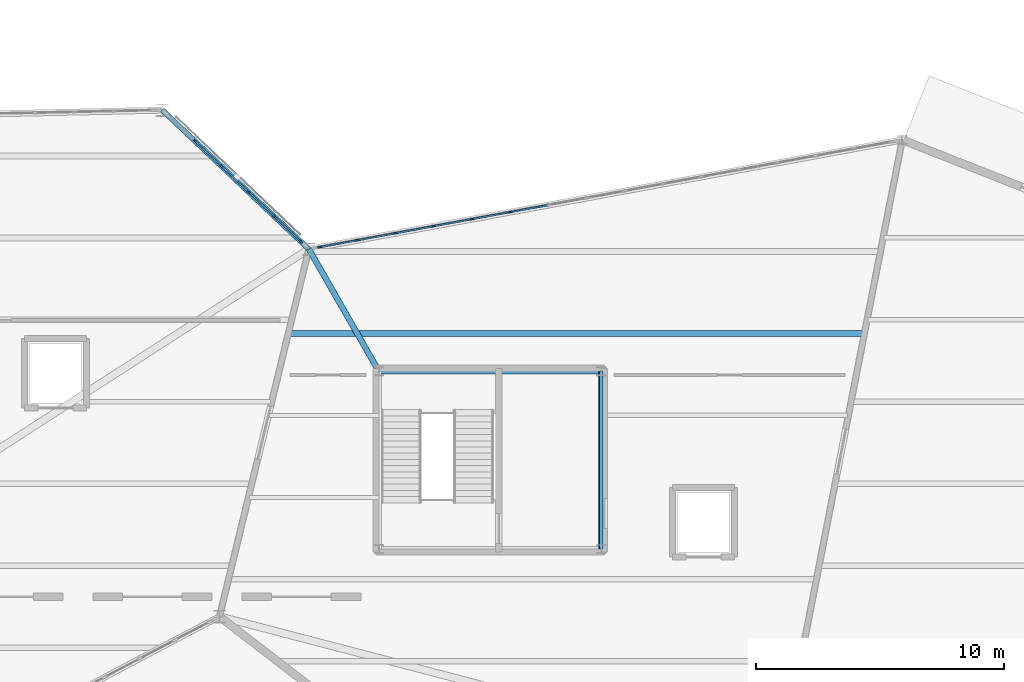
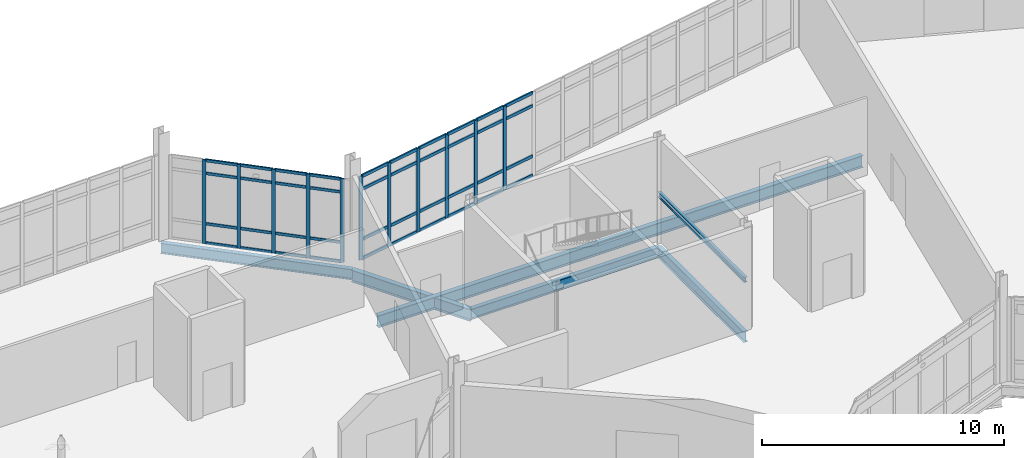
# One storey, part 40 of 113: 51 members, 6 beams, 2 elements without a shape of their own.
"""IFC4 building model written with IfcOpenShell, lengths in metres."""

from ifc_helpers import new_model, si_unit, direction, frame, origin, origin_2d, place, context, subcontext, project, spatial, rectangle, i_section, extrude, material, material_profile, profile_set, type_object, element, aggregate, save


model = new_model("IFC4")

# Units and contexts
model_context = context("Model", 3, precision=1e-05, world=origin(), true_north=direction((0.0, 1.0)))
body_context = subcontext(model_context, "Body", "Model", "MODEL_VIEW")
ifc_project = project(units=[si_unit("LENGTHUNIT", "METRE"), si_unit("AREAUNIT", "SQUARE_METRE"), si_unit("VOLUMEUNIT", "CUBIC_METRE"), si_unit("PLANEANGLEUNIT", "RADIAN"), si_unit("MASSUNIT", "GRAM", prefix="KILO")], contexts=[model_context])

# Site, building, storey
site_placement = place(None, origin())
site = spatial("IfcSite", under=ifc_project, at=site_placement, CompositionType="ELEMENT")
building_placement = place(site_placement, origin())
building = spatial("IfcBuilding", under=site, at=building_placement, Name="Tameran Prism Museum", CompositionType="ELEMENT")
storey_placement = place(building_placement, origin())
storey = spatial("IfcBuildingStorey", under=building, at=storey_placement, Name="L00", CompositionType="ELEMENT", Elevation=0.0)

# Beams
ifc_material_1 = material(Name="Steel Grade 300PLUS (300 MPa)", Category="steel")
ifc_material_profile_1 = material_profile(ifc_material_1, i_section(OverallWidth=0.14599609375, OverallDepth=0.256103515625, WebThickness=0.00634765625, FlangeThickness=0.010986328125, FilletRadius=0.0087890625, at=origin_2d()))
ifc_profile_set_1 = profile_set([ifc_material_profile_1])
beam_type_1 = type_object("IfcBeamType", Name="BM-L250", PredefinedType="LINTEL", material=ifc_profile_set_1)
beam_1_placement = place(storey_placement, frame((113.47998046875, 30.919921875, 2.3798828125), z_axis=(0.0, 1.0, 0.0), x_axis=(-1.0, 0.0, 0.0)))
element("IfcBeam", 1, at=beam_1_placement, inside=storey, type_object=beam_type_1, Name="Core Door Lintel LN-06", PredefinedType="LINTEL", context=body_context, shape_type="SweptSolid", body=[
    extrude(i_section(OverallWidth=0.14599609375, OverallDepth=0.256103515625, WebThickness=0.00634765625, FlangeThickness=0.010986328125, FilletRadius=0.0087890625, at=origin_2d()), origin(), (0.0, 0.0, 1.0), 7.16015625),
])
ifc_material_2 = material(Name="Steel Grade 300PLUS (300 MPa)", Category="steel")
ifc_material_profile_2 = material_profile(ifc_material_2, i_section(OverallWidth=0.208984375, OverallDepth=0.528076171875, WebThickness=0.009521484375, FlangeThickness=0.01318359375, FilletRadius=0.013916015625, at=origin_2d()))
ifc_profile_set_2 = profile_set([ifc_material_profile_2])
beam_type_2 = type_object("IfcBeamType", Name="BM-SP530B", PredefinedType="SPANDREL", material=ifc_profile_set_2)
beam_2_placement = place(storey_placement, frame((101.699951171875, 43.0, -0.50390625), z_axis=(-0.725294606745, 0.688438619942, 0.0), x_axis=(-0.688438619942, -0.725294606745, 0.0)))
element("IfcBeam", 2, at=beam_2_placement, inside=storey, type_object=beam_type_2, Name="Perimeter Spandrel SP-0030", PredefinedType="SPANDREL", context=body_context, shape_type="SweptSolid", body=[
    extrude(i_section(OverallWidth=0.208984375, OverallDepth=0.528076171875, WebThickness=0.009521484375, FlangeThickness=0.01318359375, FilletRadius=0.013916015625, at=origin_2d()), origin(), (0.0, 0.0, 1.0), 8.134521484375),
])
beam_3_placement = place(storey_placement, frame((113.47998046875, 30.919921875, -0.50390625), z_axis=(0.0, 1.0, 0.0), x_axis=(-1.0, 0.0, 0.0)))
element("IfcBeam", 3, at=beam_3_placement, inside=storey, type_object=beam_type_2, Name="Core Ring Beam CTB-0123", PredefinedType="SPANDREL", context=body_context, shape_type="SweptSolid", body=[
    extrude(i_section(OverallWidth=0.208984375, OverallDepth=0.528076171875, WebThickness=0.009521484375, FlangeThickness=0.01318359375, FilletRadius=0.013916015625, at=origin_2d()), origin(), (0.0, 0.0, 1.0), 7.16015625),
])
beam_4_placement = place(storey_placement, frame((113.47998046875, 38.080078125, -0.50390625), z_axis=(-1.0, 0.0, 0.0), x_axis=(0.0, -1.0, 0.0)))
element("IfcBeam", 4, at=beam_4_placement, inside=storey, type_object=beam_type_2, Name="Core Ring Beam CTB-0124", PredefinedType="SPANDREL", context=body_context, shape_type="SweptSolid", body=[
    extrude(i_section(OverallWidth=0.208984375, OverallDepth=0.528076171875, WebThickness=0.009521484375, FlangeThickness=0.01318359375, FilletRadius=0.013916015625, at=origin_2d()), origin(), (0.0, 0.0, 1.0), 8.9599609375),
])
ifc_material_3 = material(Name="Steel Grade 300PLUS (300 MPa)", Category="steel")
ifc_material_profile_3 = material_profile(ifc_material_3, i_section(OverallWidth=0.22900390625, OverallDepth=0.612060546875, WebThickness=0.011962890625, FlangeThickness=0.01953125, FilletRadius=0.013916015625, at=origin_2d()))
ifc_profile_set_3 = profile_set([ifc_material_profile_3])
beam_type_3 = type_object("IfcBeamType", Name="BM-UB610A", PredefinedType="BEAM", material=ifc_profile_set_3)
beam_5_placement = place(storey_placement, frame((104.52001953125, 38.080078125, -0.56005859375), z_axis=(-0.4972929541, 0.867582686436, 0.0), x_axis=(-0.867582686436, -0.4972929541, 0.0)))
element("IfcBeam", 5, at=beam_5_placement, inside=storey, type_object=beam_type_3, Name="Frame Tie Girder FG-1421", PredefinedType="BEAM", context=body_context, shape_type="SweptSolid", body=[
    extrude(i_section(OverallWidth=0.22900390625, OverallDepth=0.612060546875, WebThickness=0.011962890625, FlangeThickness=0.01953125, FilletRadius=0.013916015625, at=origin_2d()), origin(), (0.0, 0.0, 1.0), 5.6708984375),
])
ifc_material_4 = material(Name="Steel Grade 300PLUS (300 MPa)", Category="steel")
ifc_material_profile_4 = material_profile(ifc_material_4, i_section(OverallWidth=0.22802734375, OverallDepth=0.60693359375, WebThickness=0.01123046875, FlangeThickness=0.017333984375, FilletRadius=0.013916015625, at=origin_2d()))
ifc_profile_set_4 = profile_set([ifc_material_profile_4])
beam_type_4 = type_object("IfcBeamType", Name="BM-UB610B", PredefinedType="BEAM", material=ifc_profile_set_4)
beam_6_placement = place(storey_placement, frame((100.9140625, 39.60009765625, -0.54345703125), z_axis=(1.0, 0.0, 0.0), x_axis=(0.0, 1.0, 0.0)))
element("IfcBeam", 6, at=beam_6_placement, inside=storey, type_object=beam_type_4, Name="Floor Beam BM-0237", PredefinedType="BEAM", context=body_context, shape_type="SweptSolid", body=[
    extrude(i_section(OverallWidth=0.22802734375, OverallDepth=0.60693359375, WebThickness=0.01123046875, FlangeThickness=0.017333984375, FilletRadius=0.013916015625, at=origin_2d()), origin(), (0.0, 0.0, 1.0), 23.123046875),
])

# Curtain wall, members
ifc_material_5 = material(Name="Anodised Aluminium 6063-T6 and Cyclone Solar Glass", Category="aluminium")
curtain_wall_type_1 = type_object("IfcCurtainWallType", Name="CW-FAC-738x422", PredefinedType="USERDEFINED", material=ifc_material_5)
curtain_wall_1_placement = place(storey_placement, origin())
curtain_wall_1 = element("IfcCurtainWall", 7, at=curtain_wall_1_placement, inside=storey, type_object=curtain_wall_type_1, Name="Unitised Curtain Wall CW-031", ObjectType="UNITISED CURTAIN WALL", PredefinedType="USERDEFINED")
ifc_material_6 = material(Name="Anodised Aluminium Alloy 6063-T6", Category="aluminium")
ifc_material_profile_5 = material_profile(ifc_material_6, rectangle(XDim=0.06494140625, YDim=0.159912109375, at=origin_2d()))
ifc_profile_set_5 = profile_set([ifc_material_profile_5])
member_type_1 = type_object("IfcMemberType", Name="CW-MUL-A", PredefinedType="MULLION", material=ifc_profile_set_5)
member_1_placement = place(storey_placement, frame((97.123779296875, 47.343505859375, 0.0), z_axis=(0.0, 0.0, 1.0), x_axis=(0.688425100987, 0.725307438491, 0.0)))
member_1 = element("IfcMember", 8, at=member_1_placement, type_object=member_type_1, Name="CW-031 mullion 2", PredefinedType="MULLION", context=body_context, shape_type="SweptSolid", body=[
    extrude(rectangle(XDim=0.06494140625, YDim=0.159912109375, at=origin_2d()), origin(), (0.0, 0.0, 1.0), 4.219970703125),
])
member_2_placement = place(storey_placement, frame((98.193603515625, 46.328125, 0.0), z_axis=(0.0, 0.0, 1.0), x_axis=(0.688425100987, 0.725307438491, 0.0)))
member_2 = element("IfcMember", 9, at=member_2_placement, type_object=member_type_1, Name="CW-031 mullion 3", PredefinedType="MULLION", context=body_context, shape_type="SweptSolid", body=[
    extrude(rectangle(XDim=0.06494140625, YDim=0.159912109375, at=origin_2d()), origin(), (0.0, 0.0, 1.0), 4.219970703125),
])
member_3_placement = place(storey_placement, frame((99.263427734375, 45.312744140625, 0.0), z_axis=(0.0, 0.0, 1.0), x_axis=(0.688425100987, 0.725307438491, 0.0)))
member_3 = element("IfcMember", 10, at=member_3_placement, type_object=member_type_1, Name="CW-031 mullion 4", PredefinedType="MULLION", context=body_context, shape_type="SweptSolid", body=[
    extrude(rectangle(XDim=0.06494140625, YDim=0.159912109375, at=origin_2d()), origin(), (0.0, 0.0, 1.0), 4.219970703125),
])
member_4_placement = place(storey_placement, frame((100.333251953125, 44.29736328125, 0.0), z_axis=(0.0, 0.0, 1.0), x_axis=(0.688425100987, 0.725307438491, 0.0)))
member_4 = element("IfcMember", 11, at=member_4_placement, type_object=member_type_1, Name="CW-031 mullion 5", PredefinedType="MULLION", context=body_context, shape_type="SweptSolid", body=[
    extrude(rectangle(XDim=0.06494140625, YDim=0.159912109375, at=origin_2d()), origin(), (0.0, 0.0, 1.0), 4.219970703125),
])
member_5_placement = place(storey_placement, frame((101.37939453125, 43.304443359375, 0.0), z_axis=(0.0, 0.0, 1.0), x_axis=(0.688425100987, 0.725307438491, 0.0)))
member_5 = element("IfcMember", 12, at=member_5_placement, type_object=member_type_1, Name="CW-031 mullion 6", PredefinedType="MULLION", context=body_context, shape_type="SweptSolid", body=[
    extrude(rectangle(XDim=0.06494140625, YDim=0.159912109375, at=origin_2d()), origin(), (0.0, 0.0, 1.0), 4.219970703125),
])

ifc_material_7 = material(Name="Anodised Aluminium 6063-T6 and Cyclone Solar Glass", Category="aluminium")
curtain_wall_type_2 = type_object("IfcCurtainWallType", Name="CW-FAC-2348x422", PredefinedType="USERDEFINED", material=ifc_material_7)
curtain_wall_2_placement = place(storey_placement, origin())
curtain_wall_2 = element("IfcCurtainWall", 13, at=curtain_wall_2_placement, inside=storey, type_object=curtain_wall_type_2, Name="Unitised Curtain Wall CW-036", ObjectType="UNITISED CURTAIN WALL", PredefinedType="USERDEFINED")
ifc_material_8 = material(Name="Anodised Aluminium Alloy 6063-T6", Category="aluminium")
ifc_material_profile_6 = material_profile(ifc_material_8, rectangle(XDim=0.070068359375, YDim=0.179931640625, at=origin_2d()))
ifc_profile_set_6 = profile_set([ifc_material_profile_6])
member_type_2 = type_object("IfcMemberType", Name="CW-MUL-B", PredefinedType="MULLION", material=ifc_profile_set_6)
member_6_placement = place(storey_placement, frame((102.137451171875, 43.080322265625, 0.0), z_axis=(0.0, 0.0, 1.0), x_axis=(-0.181062693106, 0.98347155585, 0.0)))
member_6 = element("IfcMember", 14, at=member_6_placement, type_object=member_type_2, Name="CW-036 mullion 1", PredefinedType="MULLION", context=body_context, shape_type="SweptSolid", body=[
    extrude(rectangle(XDim=0.070068359375, YDim=0.179931640625, at=origin_2d()), origin(), (0.0, 0.0, 1.0), 4.219970703125),
])
member_7_placement = place(storey_placement, frame((103.642333984375, 43.357421875, 0.0), z_axis=(0.0, 0.0, 1.0), x_axis=(-0.181062693106, 0.98347155585, 0.0)))
member_7 = element("IfcMember", 15, at=member_7_placement, type_object=member_type_2, Name="CW-036 mullion 2", PredefinedType="MULLION", context=body_context, shape_type="SweptSolid", body=[
    extrude(rectangle(XDim=0.070068359375, YDim=0.179931640625, at=origin_2d()), origin(), (0.0, 0.0, 1.0), 4.219970703125),
])
member_8_placement = place(storey_placement, frame((105.181640625, 43.640869140625, 0.0), z_axis=(0.0, 0.0, 1.0), x_axis=(-0.181062693106, 0.98347155585, 0.0)))
member_8 = element("IfcMember", 16, at=member_8_placement, type_object=member_type_2, Name="CW-036 mullion 3", PredefinedType="MULLION", context=body_context, shape_type="SweptSolid", body=[
    extrude(rectangle(XDim=0.070068359375, YDim=0.179931640625, at=origin_2d()), origin(), (0.0, 0.0, 1.0), 4.219970703125),
])
member_9_placement = place(storey_placement, frame((106.720947265625, 43.92431640625, 0.0), z_axis=(0.0, 0.0, 1.0), x_axis=(-0.181062693106, 0.98347155585, 0.0)))
member_9 = element("IfcMember", 17, at=member_9_placement, type_object=member_type_2, Name="CW-036 mullion 4", PredefinedType="MULLION", context=body_context, shape_type="SweptSolid", body=[
    extrude(rectangle(XDim=0.070068359375, YDim=0.179931640625, at=origin_2d()), origin(), (0.0, 0.0, 1.0), 4.219970703125),
])
member_10_placement = place(storey_placement, frame((108.26025390625, 44.20751953125, 0.0), z_axis=(0.0, 0.0, 1.0), x_axis=(-0.181062693106, 0.98347155585, 0.0)))
member_10 = element("IfcMember", 18, at=member_10_placement, type_object=member_type_2, Name="CW-036 mullion 5", PredefinedType="MULLION", context=body_context, shape_type="SweptSolid", body=[
    extrude(rectangle(XDim=0.070068359375, YDim=0.179931640625, at=origin_2d()), origin(), (0.0, 0.0, 1.0), 4.219970703125),
])
member_11_placement = place(storey_placement, frame((109.799560546875, 44.490966796875, 0.0), z_axis=(0.0, 0.0, 1.0), x_axis=(-0.181062693106, 0.98347155585, 0.0)))
member_11 = element("IfcMember", 19, at=member_11_placement, type_object=member_type_2, Name="CW-036 mullion 6", PredefinedType="MULLION", context=body_context, shape_type="SweptSolid", body=[
    extrude(rectangle(XDim=0.070068359375, YDim=0.179931640625, at=origin_2d()), origin(), (0.0, 0.0, 1.0), 4.219970703125),
])

# Member
ifc_material_9 = material(Name="Anodised Aluminium Alloy 6063-T6", Category="aluminium")
ifc_material_profile_7 = material_profile(ifc_material_9, rectangle(XDim=0.06494140625, YDim=0.139892578125, at=origin_2d()))
ifc_profile_set_7 = profile_set([ifc_material_profile_7])
member_type_3 = type_object("IfcMemberType", Name="CW-TRN-A", PredefinedType="USERDEFINED", material=ifc_profile_set_7)
member_12_placement = place(storey_placement, frame((97.1474609375, 47.3212890625, 0.032470703125), z_axis=(0.725224216507, -0.688512770972, 0.0), x_axis=(0.688512770972, 0.725224216507, 0.0)))
member_12 = element("IfcMember", 20, at=member_12_placement, type_object=member_type_3, Name="CW-031 transom 2.1", ObjectType="TRANSOM", PredefinedType="USERDEFINED", context=body_context, shape_type="SweptSolid", body=[
    extrude(rectangle(XDim=0.06494140625, YDim=0.139892578125, at=origin_2d()), origin(), (0.0, 0.0, 1.0), 1.409912109375),
])

member_13_placement = place(storey_placement, frame((97.1474609375, 47.3212890625, 1.0), z_axis=(0.725224216507, -0.688512770972, 0.0), x_axis=(0.688512770972, 0.725224216507, 0.0)))
member_13 = element("IfcMember", 21, at=member_13_placement, type_object=member_type_3, Name="CW-031 transom 2.2", ObjectType="TRANSOM", PredefinedType="USERDEFINED", context=body_context, shape_type="SweptSolid", body=[
    extrude(rectangle(XDim=0.06494140625, YDim=0.139892578125, at=origin_2d()), origin(), (0.0, 0.0, 1.0), 1.409912109375),
])

member_14_placement = place(storey_placement, frame((97.1474609375, 47.3212890625, 3.5400390625), z_axis=(0.725224216507, -0.688512770972, 0.0), x_axis=(0.688512770972, 0.725224216507, 0.0)))
member_14 = element("IfcMember", 22, at=member_14_placement, type_object=member_type_3, Name="CW-031 transom 2.3", ObjectType="TRANSOM", PredefinedType="USERDEFINED", context=body_context, shape_type="SweptSolid", body=[
    extrude(rectangle(XDim=0.06494140625, YDim=0.139892578125, at=origin_2d()), origin(), (0.0, 0.0, 1.0), 1.409912109375),
])

member_15_placement = place(storey_placement, frame((97.1474609375, 47.3212890625, 4.1875), z_axis=(0.725224216507, -0.688512770972, 0.0), x_axis=(0.688512770972, 0.725224216507, 0.0)))
member_15 = element("IfcMember", 23, at=member_15_placement, type_object=member_type_3, Name="CW-031 transom 2.4", ObjectType="TRANSOM", PredefinedType="USERDEFINED", context=body_context, shape_type="SweptSolid", body=[
    extrude(rectangle(XDim=0.06494140625, YDim=0.139892578125, at=origin_2d()), origin(), (0.0, 0.0, 1.0), 1.409912109375),
])

member_16_placement = place(storey_placement, frame((98.21728515625, 46.305908203125, 0.032470703125), z_axis=(0.725224216507, -0.688512770972, 0.0), x_axis=(0.688512770972, 0.725224216507, 0.0)))
member_16 = element("IfcMember", 24, at=member_16_placement, type_object=member_type_3, Name="CW-031 transom 3.1", ObjectType="TRANSOM", PredefinedType="USERDEFINED", context=body_context, shape_type="SweptSolid", body=[
    extrude(rectangle(XDim=0.06494140625, YDim=0.139892578125, at=origin_2d()), origin(), (0.0, 0.0, 1.0), 1.409912109375),
])

member_17_placement = place(storey_placement, frame((98.21728515625, 46.305908203125, 1.0), z_axis=(0.725224216507, -0.688512770972, 0.0), x_axis=(0.688512770972, 0.725224216507, 0.0)))
member_17 = element("IfcMember", 25, at=member_17_placement, type_object=member_type_3, Name="CW-031 transom 3.2", ObjectType="TRANSOM", PredefinedType="USERDEFINED", context=body_context, shape_type="SweptSolid", body=[
    extrude(rectangle(XDim=0.06494140625, YDim=0.139892578125, at=origin_2d()), origin(), (0.0, 0.0, 1.0), 1.409912109375),
])

member_18_placement = place(storey_placement, frame((98.21728515625, 46.305908203125, 3.5400390625), z_axis=(0.725224216507, -0.688512770972, 0.0), x_axis=(0.688512770972, 0.725224216507, 0.0)))
member_18 = element("IfcMember", 26, at=member_18_placement, type_object=member_type_3, Name="CW-031 transom 3.3", ObjectType="TRANSOM", PredefinedType="USERDEFINED", context=body_context, shape_type="SweptSolid", body=[
    extrude(rectangle(XDim=0.06494140625, YDim=0.139892578125, at=origin_2d()), origin(), (0.0, 0.0, 1.0), 1.409912109375),
])

member_19_placement = place(storey_placement, frame((98.21728515625, 46.305908203125, 4.1875), z_axis=(0.725224216507, -0.688512770972, 0.0), x_axis=(0.688512770972, 0.725224216507, 0.0)))
member_19 = element("IfcMember", 27, at=member_19_placement, type_object=member_type_3, Name="CW-031 transom 3.4", ObjectType="TRANSOM", PredefinedType="USERDEFINED", context=body_context, shape_type="SweptSolid", body=[
    extrude(rectangle(XDim=0.06494140625, YDim=0.139892578125, at=origin_2d()), origin(), (0.0, 0.0, 1.0), 1.409912109375),
])

member_20_placement = place(storey_placement, frame((99.286865234375, 45.29052734375, 0.032470703125), z_axis=(0.725306290926, -0.688426310031, 0.0), x_axis=(0.688426310031, 0.725306290926, 0.0)))
member_20 = element("IfcMember", 28, at=member_20_placement, type_object=member_type_3, Name="CW-031 transom 4.1", ObjectType="TRANSOM", PredefinedType="USERDEFINED", context=body_context, shape_type="SweptSolid", body=[
    extrude(rectangle(XDim=0.06494140625, YDim=0.139892578125, at=origin_2d()), origin(), (0.0, 0.0, 1.0), 1.409912109375),
])

member_21_placement = place(storey_placement, frame((99.286865234375, 45.29052734375, 1.0), z_axis=(0.725306290926, -0.688426310031, 0.0), x_axis=(0.688426310031, 0.725306290926, 0.0)))
member_21 = element("IfcMember", 29, at=member_21_placement, type_object=member_type_3, Name="CW-031 transom 4.2", ObjectType="TRANSOM", PredefinedType="USERDEFINED", context=body_context, shape_type="SweptSolid", body=[
    extrude(rectangle(XDim=0.06494140625, YDim=0.139892578125, at=origin_2d()), origin(), (0.0, 0.0, 1.0), 1.409912109375),
])

member_22_placement = place(storey_placement, frame((99.286865234375, 45.29052734375, 3.5400390625), z_axis=(0.725306290926, -0.688426310031, 0.0), x_axis=(0.688426310031, 0.725306290926, 0.0)))
member_22 = element("IfcMember", 30, at=member_22_placement, type_object=member_type_3, Name="CW-031 transom 4.3", ObjectType="TRANSOM", PredefinedType="USERDEFINED", context=body_context, shape_type="SweptSolid", body=[
    extrude(rectangle(XDim=0.06494140625, YDim=0.139892578125, at=origin_2d()), origin(), (0.0, 0.0, 1.0), 1.409912109375),
])

member_23_placement = place(storey_placement, frame((99.286865234375, 45.29052734375, 4.1875), z_axis=(0.725306290926, -0.688426310031, 0.0), x_axis=(0.688426310031, 0.725306290926, 0.0)))
member_23 = element("IfcMember", 31, at=member_23_placement, type_object=member_type_3, Name="CW-031 transom 4.4", ObjectType="TRANSOM", PredefinedType="USERDEFINED", context=body_context, shape_type="SweptSolid", body=[
    extrude(rectangle(XDim=0.06494140625, YDim=0.139892578125, at=origin_2d()), origin(), (0.0, 0.0, 1.0), 1.409912109375),
])

member_24_placement = place(storey_placement, frame((100.356689453125, 44.275146484375, 0.032470703125), z_axis=(0.72529579304, -0.688437370135, 0.0), x_axis=(0.688437370135, 0.72529579304, 0.0)))
member_24 = element("IfcMember", 32, at=member_24_placement, type_object=member_type_3, Name="CW-031 transom 5.1", ObjectType="TRANSOM", PredefinedType="USERDEFINED", context=body_context, shape_type="SweptSolid", body=[
    extrude(rectangle(XDim=0.06494140625, YDim=0.139892578125, at=origin_2d()), origin(), (0.0, 0.0, 1.0), 1.377685546875),
])

member_25_placement = place(storey_placement, frame((100.356689453125, 44.275146484375, 1.0), z_axis=(0.72529579304, -0.688437370135, 0.0), x_axis=(0.688437370135, 0.72529579304, 0.0)))
member_25 = element("IfcMember", 33, at=member_25_placement, type_object=member_type_3, Name="CW-031 transom 5.2", ObjectType="TRANSOM", PredefinedType="USERDEFINED", context=body_context, shape_type="SweptSolid", body=[
    extrude(rectangle(XDim=0.06494140625, YDim=0.139892578125, at=origin_2d()), origin(), (0.0, 0.0, 1.0), 1.377685546875),
])

member_26_placement = place(storey_placement, frame((100.356689453125, 44.275146484375, 3.5400390625), z_axis=(0.72529579304, -0.688437370135, 0.0), x_axis=(0.688437370135, 0.72529579304, 0.0)))
member_26 = element("IfcMember", 34, at=member_26_placement, type_object=member_type_3, Name="CW-031 transom 5.3", ObjectType="TRANSOM", PredefinedType="USERDEFINED", context=body_context, shape_type="SweptSolid", body=[
    extrude(rectangle(XDim=0.06494140625, YDim=0.139892578125, at=origin_2d()), origin(), (0.0, 0.0, 1.0), 1.377685546875),
])

member_27_placement = place(storey_placement, frame((100.356689453125, 44.275146484375, 4.1875), z_axis=(0.72529579304, -0.688437370135, 0.0), x_axis=(0.688437370135, 0.72529579304, 0.0)))
member_27 = element("IfcMember", 35, at=member_27_placement, type_object=member_type_3, Name="CW-031 transom 5.4", ObjectType="TRANSOM", PredefinedType="USERDEFINED", context=body_context, shape_type="SweptSolid", body=[
    extrude(rectangle(XDim=0.06494140625, YDim=0.139892578125, at=origin_2d()), origin(), (0.0, 0.0, 1.0), 1.377685546875),
])

aggregate(curtain_wall_1, [member_1, member_2, member_3, member_4, member_5, member_12, member_13, member_14, member_15, member_16, member_17, member_18, member_19, member_20, member_21, member_22, member_23, member_24, member_25, member_26, member_27])

ifc_material_10 = material(Name="Anodised Aluminium Alloy 6063-T6", Category="aluminium")
ifc_material_profile_8 = material_profile(ifc_material_10, rectangle(XDim=0.070068359375, YDim=0.155029296875, at=origin_2d()))
ifc_profile_set_8 = profile_set([ifc_material_profile_8])
member_type_4 = type_object("IfcMemberType", Name="CW-TRN-B", PredefinedType="USERDEFINED", material=ifc_profile_set_8)
member_28_placement = place(storey_placement, frame((102.171875, 43.086669921875, 0.034912109375), z_axis=(0.983468863381, 0.181077317076, 0.0), x_axis=(-0.181077317076, 0.983468863381, 0.0)))
member_28 = element("IfcMember", 36, at=member_28_placement, type_object=member_type_4, Name="CW-036 transom 1.1", ObjectType="TRANSOM", PredefinedType="USERDEFINED", context=body_context, shape_type="SweptSolid", body=[
    extrude(rectangle(XDim=0.070068359375, YDim=0.155029296875, at=origin_2d()), origin(), (0.0, 0.0, 1.0), 1.460205078125),
])

member_29_placement = place(storey_placement, frame((102.171875, 43.086669921875, 1.0), z_axis=(0.983468863381, 0.181077317076, 0.0), x_axis=(-0.181077317076, 0.983468863381, 0.0)))
member_29 = element("IfcMember", 37, at=member_29_placement, type_object=member_type_4, Name="CW-036 transom 1.2", ObjectType="TRANSOM", PredefinedType="USERDEFINED", context=body_context, shape_type="SweptSolid", body=[
    extrude(rectangle(XDim=0.070068359375, YDim=0.155029296875, at=origin_2d()), origin(), (0.0, 0.0, 1.0), 1.460205078125),
])

member_30_placement = place(storey_placement, frame((102.171875, 43.086669921875, 3.5400390625), z_axis=(0.983468863381, 0.181077317076, 0.0), x_axis=(-0.181077317076, 0.983468863381, 0.0)))
member_30 = element("IfcMember", 38, at=member_30_placement, type_object=member_type_4, Name="CW-036 transom 1.3", ObjectType="TRANSOM", PredefinedType="USERDEFINED", context=body_context, shape_type="SweptSolid", body=[
    extrude(rectangle(XDim=0.070068359375, YDim=0.155029296875, at=origin_2d()), origin(), (0.0, 0.0, 1.0), 1.460205078125),
])

member_31_placement = place(storey_placement, frame((102.171875, 43.086669921875, 4.18505859375), z_axis=(0.983468863381, 0.181077317076, 0.0), x_axis=(-0.181077317076, 0.983468863381, 0.0)))
member_31 = element("IfcMember", 39, at=member_31_placement, type_object=member_type_4, Name="CW-036 transom 1.4", ObjectType="TRANSOM", PredefinedType="USERDEFINED", context=body_context, shape_type="SweptSolid", body=[
    extrude(rectangle(XDim=0.070068359375, YDim=0.155029296875, at=origin_2d()), origin(), (0.0, 0.0, 1.0), 1.460205078125),
])

member_32_placement = place(storey_placement, frame((103.6767578125, 43.36376953125, 0.034912109375), z_axis=(0.983467731268, 0.181083465711, 0.0), x_axis=(-0.181083465711, 0.983467731268, 0.0)))
member_32 = element("IfcMember", 40, at=member_32_placement, type_object=member_type_4, Name="CW-036 transom 2.1", ObjectType="TRANSOM", PredefinedType="USERDEFINED", context=body_context, shape_type="SweptSolid", body=[
    extrude(rectangle(XDim=0.070068359375, YDim=0.155029296875, at=origin_2d()), origin(), (0.0, 0.0, 1.0), 1.4951171875),
])

member_33_placement = place(storey_placement, frame((103.6767578125, 43.36376953125, 1.0), z_axis=(0.983467731268, 0.181083465711, 0.0), x_axis=(-0.181083465711, 0.983467731268, 0.0)))
member_33 = element("IfcMember", 41, at=member_33_placement, type_object=member_type_4, Name="CW-036 transom 2.2", ObjectType="TRANSOM", PredefinedType="USERDEFINED", context=body_context, shape_type="SweptSolid", body=[
    extrude(rectangle(XDim=0.070068359375, YDim=0.155029296875, at=origin_2d()), origin(), (0.0, 0.0, 1.0), 1.4951171875),
])

member_34_placement = place(storey_placement, frame((103.6767578125, 43.36376953125, 3.5400390625), z_axis=(0.983467731268, 0.181083465711, 0.0), x_axis=(-0.181083465711, 0.983467731268, 0.0)))
member_34 = element("IfcMember", 42, at=member_34_placement, type_object=member_type_4, Name="CW-036 transom 2.3", ObjectType="TRANSOM", PredefinedType="USERDEFINED", context=body_context, shape_type="SweptSolid", body=[
    extrude(rectangle(XDim=0.070068359375, YDim=0.155029296875, at=origin_2d()), origin(), (0.0, 0.0, 1.0), 1.4951171875),
])

member_35_placement = place(storey_placement, frame((103.6767578125, 43.36376953125, 4.18505859375), z_axis=(0.983467731268, 0.181083465711, 0.0), x_axis=(-0.181083465711, 0.983467731268, 0.0)))
member_35 = element("IfcMember", 43, at=member_35_placement, type_object=member_type_4, Name="CW-036 transom 2.4", ObjectType="TRANSOM", PredefinedType="USERDEFINED", context=body_context, shape_type="SweptSolid", body=[
    extrude(rectangle(XDim=0.070068359375, YDim=0.155029296875, at=origin_2d()), origin(), (0.0, 0.0, 1.0), 1.4951171875),
])

member_36_placement = place(storey_placement, frame((105.216064453125, 43.647216796875, 0.034912109375), z_axis=(0.983467731268, 0.181083465711, 0.0), x_axis=(-0.181083465711, 0.983467731268, 0.0)))
member_36 = element("IfcMember", 44, at=member_36_placement, type_object=member_type_4, Name="CW-036 transom 3.1", ObjectType="TRANSOM", PredefinedType="USERDEFINED", context=body_context, shape_type="SweptSolid", body=[
    extrude(rectangle(XDim=0.070068359375, YDim=0.155029296875, at=origin_2d()), origin(), (0.0, 0.0, 1.0), 1.4951171875),
])

member_37_placement = place(storey_placement, frame((105.216064453125, 43.647216796875, 1.0), z_axis=(0.983467731268, 0.181083465711, 0.0), x_axis=(-0.181083465711, 0.983467731268, 0.0)))
member_37 = element("IfcMember", 45, at=member_37_placement, type_object=member_type_4, Name="CW-036 transom 3.2", ObjectType="TRANSOM", PredefinedType="USERDEFINED", context=body_context, shape_type="SweptSolid", body=[
    extrude(rectangle(XDim=0.070068359375, YDim=0.155029296875, at=origin_2d()), origin(), (0.0, 0.0, 1.0), 1.4951171875),
])

member_38_placement = place(storey_placement, frame((105.216064453125, 43.647216796875, 3.5400390625), z_axis=(0.983467731268, 0.181083465711, 0.0), x_axis=(-0.181083465711, 0.983467731268, 0.0)))
member_38 = element("IfcMember", 46, at=member_38_placement, type_object=member_type_4, Name="CW-036 transom 3.3", ObjectType="TRANSOM", PredefinedType="USERDEFINED", context=body_context, shape_type="SweptSolid", body=[
    extrude(rectangle(XDim=0.070068359375, YDim=0.155029296875, at=origin_2d()), origin(), (0.0, 0.0, 1.0), 1.4951171875),
])

member_39_placement = place(storey_placement, frame((105.216064453125, 43.647216796875, 4.18505859375), z_axis=(0.983467731268, 0.181083465711, 0.0), x_axis=(-0.181083465711, 0.983467731268, 0.0)))
member_39 = element("IfcMember", 47, at=member_39_placement, type_object=member_type_4, Name="CW-036 transom 3.4", ObjectType="TRANSOM", PredefinedType="USERDEFINED", context=body_context, shape_type="SweptSolid", body=[
    extrude(rectangle(XDim=0.070068359375, YDim=0.155029296875, at=origin_2d()), origin(), (0.0, 0.0, 1.0), 1.4951171875),
])

member_40_placement = place(storey_placement, frame((106.75537109375, 43.930419921875, 0.034912109375), z_axis=(0.983467731268, 0.181083465711, 0.0), x_axis=(-0.181083465711, 0.983467731268, 0.0)))
member_40 = element("IfcMember", 48, at=member_40_placement, type_object=member_type_4, Name="CW-036 transom 4.1", ObjectType="TRANSOM", PredefinedType="USERDEFINED", context=body_context, shape_type="SweptSolid", body=[
    extrude(rectangle(XDim=0.070068359375, YDim=0.155029296875, at=origin_2d()), origin(), (0.0, 0.0, 1.0), 1.4951171875),
])

member_41_placement = place(storey_placement, frame((106.75537109375, 43.930419921875, 1.0), z_axis=(0.983467731268, 0.181083465711, 0.0), x_axis=(-0.181083465711, 0.983467731268, 0.0)))
member_41 = element("IfcMember", 49, at=member_41_placement, type_object=member_type_4, Name="CW-036 transom 4.2", ObjectType="TRANSOM", PredefinedType="USERDEFINED", context=body_context, shape_type="SweptSolid", body=[
    extrude(rectangle(XDim=0.070068359375, YDim=0.155029296875, at=origin_2d()), origin(), (0.0, 0.0, 1.0), 1.4951171875),
])

member_42_placement = place(storey_placement, frame((106.75537109375, 43.930419921875, 3.5400390625), z_axis=(0.983467731268, 0.181083465711, 0.0), x_axis=(-0.181083465711, 0.983467731268, 0.0)))
member_42 = element("IfcMember", 50, at=member_42_placement, type_object=member_type_4, Name="CW-036 transom 4.3", ObjectType="TRANSOM", PredefinedType="USERDEFINED", context=body_context, shape_type="SweptSolid", body=[
    extrude(rectangle(XDim=0.070068359375, YDim=0.155029296875, at=origin_2d()), origin(), (0.0, 0.0, 1.0), 1.4951171875),
])

member_43_placement = place(storey_placement, frame((106.75537109375, 43.930419921875, 4.18505859375), z_axis=(0.983467731268, 0.181083465711, 0.0), x_axis=(-0.181083465711, 0.983467731268, 0.0)))
member_43 = element("IfcMember", 51, at=member_43_placement, type_object=member_type_4, Name="CW-036 transom 4.4", ObjectType="TRANSOM", PredefinedType="USERDEFINED", context=body_context, shape_type="SweptSolid", body=[
    extrude(rectangle(XDim=0.070068359375, YDim=0.155029296875, at=origin_2d()), origin(), (0.0, 0.0, 1.0), 1.4951171875),
])

member_44_placement = place(storey_placement, frame((108.294677734375, 44.2138671875, 0.034912109375), z_axis=(0.983467731268, 0.181083465711, 0.0), x_axis=(-0.181083465711, 0.983467731268, 0.0)))
member_44 = element("IfcMember", 52, at=member_44_placement, type_object=member_type_4, Name="CW-036 transom 5.1", ObjectType="TRANSOM", PredefinedType="USERDEFINED", context=body_context, shape_type="SweptSolid", body=[
    extrude(rectangle(XDim=0.070068359375, YDim=0.155029296875, at=origin_2d()), origin(), (0.0, 0.0, 1.0), 1.4951171875),
])

member_45_placement = place(storey_placement, frame((108.294677734375, 44.2138671875, 1.0), z_axis=(0.983467731268, 0.181083465711, 0.0), x_axis=(-0.181083465711, 0.983467731268, 0.0)))
member_45 = element("IfcMember", 53, at=member_45_placement, type_object=member_type_4, Name="CW-036 transom 5.2", ObjectType="TRANSOM", PredefinedType="USERDEFINED", context=body_context, shape_type="SweptSolid", body=[
    extrude(rectangle(XDim=0.070068359375, YDim=0.155029296875, at=origin_2d()), origin(), (0.0, 0.0, 1.0), 1.4951171875),
])

member_46_placement = place(storey_placement, frame((108.294677734375, 44.2138671875, 3.5400390625), z_axis=(0.983467731268, 0.181083465711, 0.0), x_axis=(-0.181083465711, 0.983467731268, 0.0)))
member_46 = element("IfcMember", 54, at=member_46_placement, type_object=member_type_4, Name="CW-036 transom 5.3", ObjectType="TRANSOM", PredefinedType="USERDEFINED", context=body_context, shape_type="SweptSolid", body=[
    extrude(rectangle(XDim=0.070068359375, YDim=0.155029296875, at=origin_2d()), origin(), (0.0, 0.0, 1.0), 1.4951171875),
])

member_47_placement = place(storey_placement, frame((108.294677734375, 44.2138671875, 4.18505859375), z_axis=(0.983467731268, 0.181083465711, 0.0), x_axis=(-0.181083465711, 0.983467731268, 0.0)))
member_47 = element("IfcMember", 55, at=member_47_placement, type_object=member_type_4, Name="CW-036 transom 5.4", ObjectType="TRANSOM", PredefinedType="USERDEFINED", context=body_context, shape_type="SweptSolid", body=[
    extrude(rectangle(XDim=0.070068359375, YDim=0.155029296875, at=origin_2d()), origin(), (0.0, 0.0, 1.0), 1.4951171875),
])

member_48_placement = place(storey_placement, frame((109.833984375, 44.497314453125, 0.034912109375), z_axis=(0.983473084305, 0.181054390852, 0.0), x_axis=(-0.181054390852, 0.983473084305, 0.0)))
member_48 = element("IfcMember", 56, at=member_48_placement, type_object=member_type_4, Name="CW-036 transom 6.1", ObjectType="TRANSOM", PredefinedType="USERDEFINED", context=body_context, shape_type="SweptSolid", body=[
    extrude(rectangle(XDim=0.070068359375, YDim=0.155029296875, at=origin_2d()), origin(), (0.0, 0.0, 1.0), 1.495361328125),
])

member_49_placement = place(storey_placement, frame((109.833984375, 44.497314453125, 1.0), z_axis=(0.983473084305, 0.181054390852, 0.0), x_axis=(-0.181054390852, 0.983473084305, 0.0)))
member_49 = element("IfcMember", 57, at=member_49_placement, type_object=member_type_4, Name="CW-036 transom 6.2", ObjectType="TRANSOM", PredefinedType="USERDEFINED", context=body_context, shape_type="SweptSolid", body=[
    extrude(rectangle(XDim=0.070068359375, YDim=0.155029296875, at=origin_2d()), origin(), (0.0, 0.0, 1.0), 1.495361328125),
])

member_50_placement = place(storey_placement, frame((109.833984375, 44.497314453125, 3.5400390625), z_axis=(0.983473084305, 0.181054390852, 0.0), x_axis=(-0.181054390852, 0.983473084305, 0.0)))
member_50 = element("IfcMember", 58, at=member_50_placement, type_object=member_type_4, Name="CW-036 transom 6.3", ObjectType="TRANSOM", PredefinedType="USERDEFINED", context=body_context, shape_type="SweptSolid", body=[
    extrude(rectangle(XDim=0.070068359375, YDim=0.155029296875, at=origin_2d()), origin(), (0.0, 0.0, 1.0), 1.495361328125),
])

member_51_placement = place(storey_placement, frame((109.833984375, 44.497314453125, 4.18505859375), z_axis=(0.983473084305, 0.181054390852, 0.0), x_axis=(-0.181054390852, 0.983473084305, 0.0)))
member_51 = element("IfcMember", 59, at=member_51_placement, type_object=member_type_4, Name="CW-036 transom 6.4", ObjectType="TRANSOM", PredefinedType="USERDEFINED", context=body_context, shape_type="SweptSolid", body=[
    extrude(rectangle(XDim=0.070068359375, YDim=0.155029296875, at=origin_2d()), origin(), (0.0, 0.0, 1.0), 1.495361328125),
])

aggregate(curtain_wall_2, [member_6, member_7, member_8, member_9, member_10, member_11, member_28, member_29, member_30, member_31, member_32, member_33, member_34, member_35, member_36, member_37, member_38, member_39, member_40, member_41, member_42, member_43, member_44, member_45, member_46, member_47, member_48, member_49, member_50, member_51])

save(model, "model.ifc")
